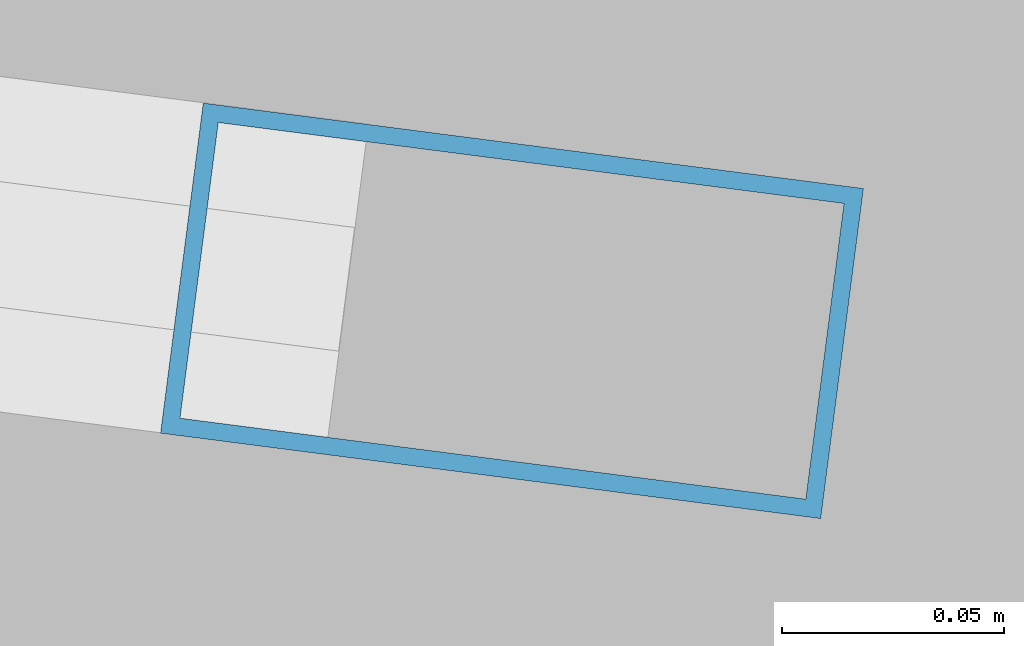
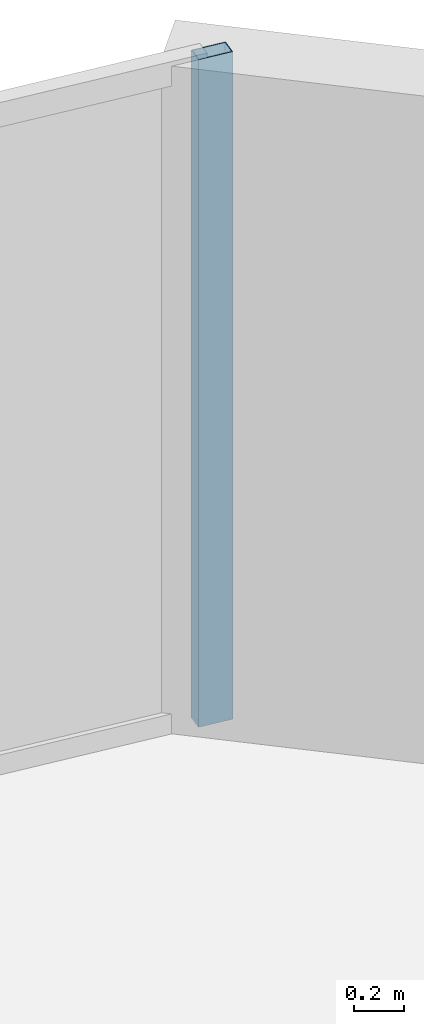
# One storey, part 21 of 33: 1 member, 1 element without a shape of its own.
"""IFC4 building model written with IfcOpenShell, lengths in metres."""

from ifc_helpers import new_model, si_unit, direction, frame, origin, origin_2d, place, context, subcontext, project, spatial, hollow_rectangle, extrude, material, layer, layer_set, material_profile, profile_set, type_object, element, aggregate, save


model = new_model("IFC4")

# Units and contexts
model_context = context("Model", 3, precision=1e-05, world=origin(), true_north=direction((0.0, 1.0)))
body_context = subcontext(model_context, "Body", "Model", "MODEL_VIEW")
ifc_project = project(units=[si_unit("LENGTHUNIT", "METRE"), si_unit("AREAUNIT", "SQUARE_METRE"), si_unit("VOLUMEUNIT", "CUBIC_METRE"), si_unit("PLANEANGLEUNIT", "RADIAN"), si_unit("MASSUNIT", "GRAM", prefix="KILO")], contexts=[model_context])

# Site, building, storey
site_placement = place(None, origin())
site = spatial("IfcSite", under=ifc_project, at=site_placement, CompositionType="ELEMENT")
building_placement = place(site_placement, origin())
building = spatial("IfcBuilding", under=site, at=building_placement, Name="Kazevale Care Tower and Concert Hall", CompositionType="ELEMENT")
storey_placement = place(building_placement, frame((0.0, 0.0, 178.199951171875)))
storey = spatial("IfcBuildingStorey", under=building, at=storey_placement, Name="L47", CompositionType="ELEMENT", Elevation=178.199951171875)

# Curtain wall, member
ifc_material_1 = material(Name="Aluminium 6063-T6 and Low-E Glass", Category="aluminium")
ifc_layer = layer(ifc_material_1, 0.179931640625)
ifc_layer_set = layer_set([ifc_layer], Name="Aluminium 6063-T6 and Low-E Glass")
curtain_wall_type = type_object("IfcCurtainWallType", Name="Convex Recessed Sunroom Curtain Wall CW-3", PredefinedType="NOTDEFINED", material=ifc_layer_set)
curtain_wall_placement = place(storey_placement, origin())
curtain_wall = element("IfcCurtainWall", 1, at=curtain_wall_placement, inside=storey, type_object=curtain_wall_type, Name="cw:L47:f16", PredefinedType="NOTDEFINED")
ifc_material_2 = material(Name="Aluminium 6063-T6", Category="aluminium")
ifc_material_profile = material_profile(ifc_material_2, hollow_rectangle(XDim=0.074951171875, YDim=0.14990234375, WallThickness=0.00390625, at=origin_2d()), Name="ALU75x150x4")
ifc_profile_set = profile_set([ifc_material_profile], Name="Aluminium 6063-T6")
member_type = type_object("IfcMemberType", Name="CW-3 Mullion ALU75x150x4", PredefinedType="MULLION", material=ifc_profile_set)
member_placement = place(storey_placement, frame((64.2587890625, 62.335693359375, 0.0), z_axis=(0.0, 0.0, 1.0), x_axis=(0.128299815569, 0.99173542708, 0.0)))
member = element("IfcMember", 2, at=member_placement, type_object=member_type, Name="CW-3 mullion 2", PredefinedType="MULLION", context=body_context, shape_type="SweptSolid", body=[
    extrude(hollow_rectangle(XDim=0.074951171875, YDim=0.14990234375, WallThickness=0.00390625, at=origin_2d()), origin(), (0.0, 0.0, 1.0), 3.280029296875),
])
aggregate(curtain_wall, [member])

save(model, "model.ifc")
